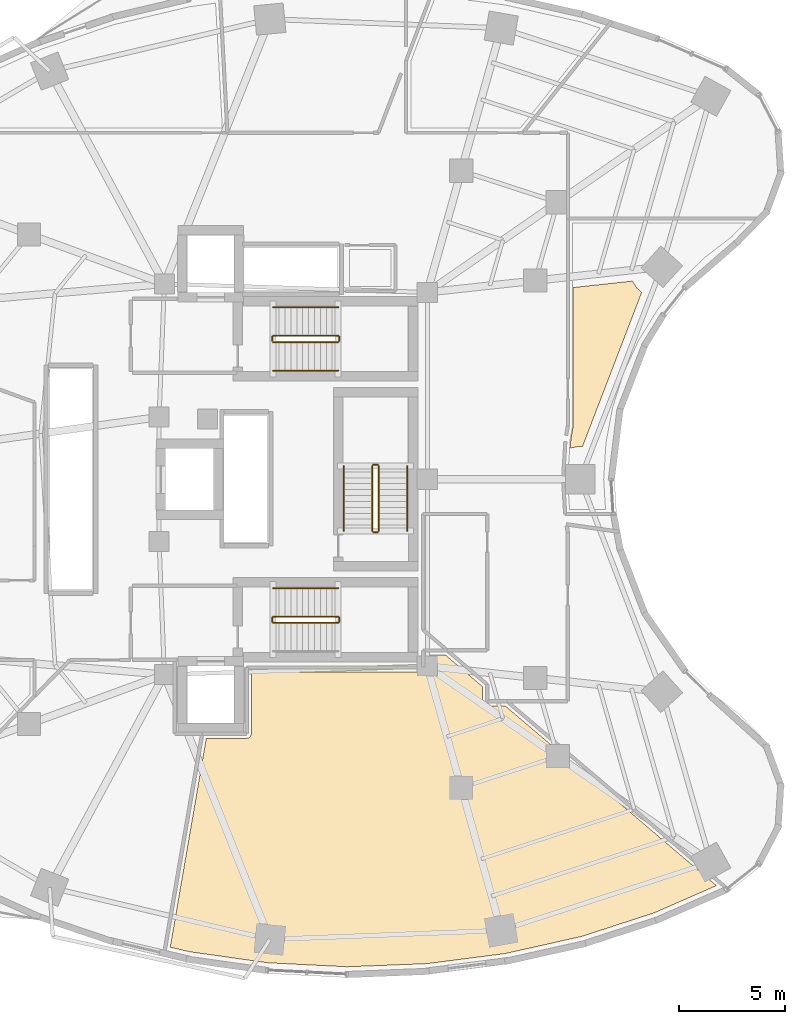
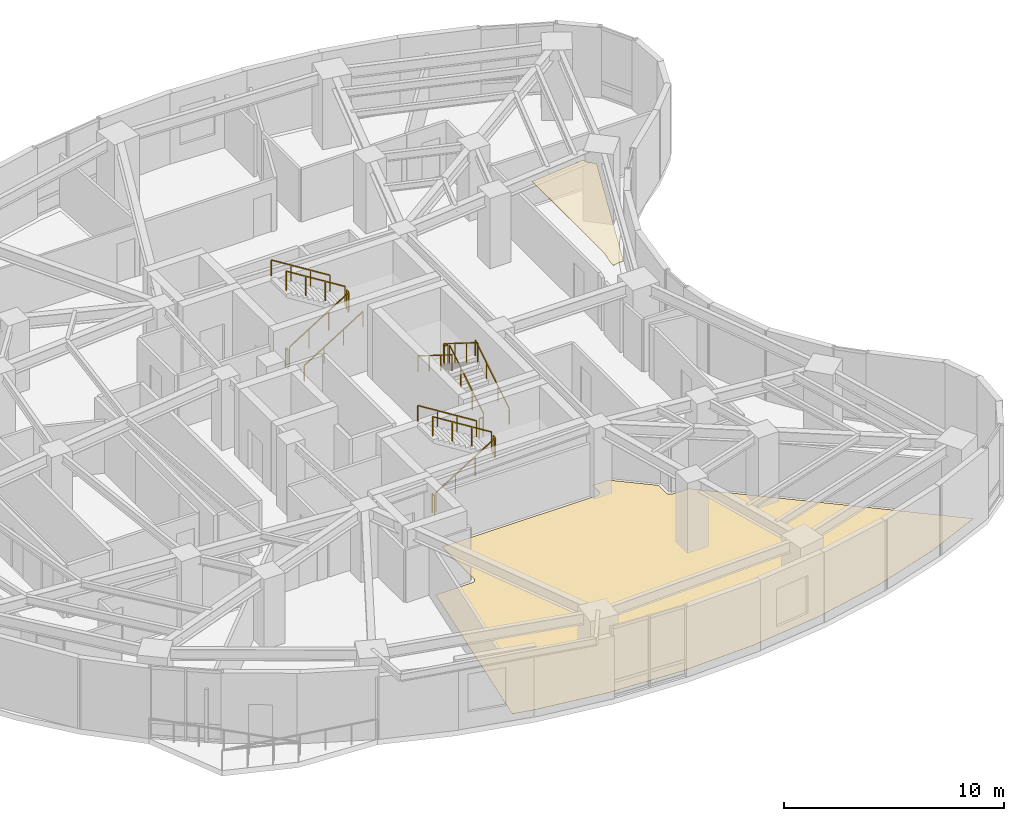
# One storey, part 13 of 14: 17 railings, 2 coverings.
"""IFC4 building model written with IfcOpenShell, lengths in metres."""

from ifc_helpers import new_model, si_unit, direction, frame, origin, origin_2d, place, context, subcontext, project, spatial, polyline, rectangle, outline, extrude, material, layer, layer_set, type_object, element, save


model = new_model("IFC4")

# Units and contexts
model_context = context("Model", 3, precision=1e-05, world=origin(), true_north=direction((0.0, 1.0)))
body_context = subcontext(model_context, "Body", "Model", "MODEL_VIEW")
ifc_project = project(units=[si_unit("LENGTHUNIT", "METRE"), si_unit("AREAUNIT", "SQUARE_METRE"), si_unit("VOLUMEUNIT", "CUBIC_METRE"), si_unit("PLANEANGLEUNIT", "RADIAN"), si_unit("MASSUNIT", "GRAM", prefix="KILO")], contexts=[model_context])

# Site, building, storey
site_placement = place(None, origin())
site = spatial("IfcSite", under=ifc_project, at=site_placement, CompositionType="ELEMENT")
building_placement = place(site_placement, origin())
building = spatial("IfcBuilding", under=site, at=building_placement, Name="Korentha Bioscience Tower", CompositionType="ELEMENT")
storey_placement = place(building_placement, frame((0.0, 0.0, 51.0)))
storey = spatial("IfcBuildingStorey", under=building, at=storey_placement, Name="L11", CompositionType="ELEMENT", Elevation=51.0)

# Railings
ifc_material_1 = material(Name="Stainless Steel 304", Category="steel")
railing_type_1 = type_object("IfcRailingType", Name="Brushed Stainless Stair Handrail 900", PredefinedType="HANDRAIL", material=ifc_material_1)
railing_1_placement = place(storey_placement, frame((30.25, 32.14990234375, 0.175048828125)))
element("IfcRailing", 1, at=railing_1_placement, inside=storey, type_object=railing_type_1, Name="L11 ST-1 stair handrail 1", PredefinedType="HANDRAIL", context=body_context, shape_type="SweptSolid", body=[
    extrude(rectangle(XDim=0.048095703125, YDim=0.048095703125, at=origin_2d()), frame((0.0, 0.0, 0.8759765625), z_axis=(0.847998304005, 0.0, 0.529998940003), x_axis=(0.0, 1.0, 0.0)), (0.0, 0.0, 1.0), 3.632080078125),
    extrude(rectangle(XDim=0.0419921875, YDim=0.0419921875, at=origin_2d()), origin(), (0.0, 0.0, 1.0), 0.851806640625),
    extrude(rectangle(XDim=0.0419921875, YDim=0.0419921875, at=origin_2d()), frame((1.026611328125, 0.0, 0.6416015625)), (0.0, 0.0, 1.0), 0.851806640625),
    extrude(rectangle(XDim=0.0419921875, YDim=0.0419921875, at=origin_2d()), frame((2.053466796875, 0.0, 1.283447265625)), (0.0, 0.0, 1.0), 0.851806640625),
    extrude(rectangle(XDim=0.0419921875, YDim=0.0419921875, at=origin_2d()), frame((3.080078125, 0.0, 1.925048828125)), (0.0, 0.0, 1.0), 0.851806640625),
])
for number, where, name in (
    (2, (33.330078125, 35.14990234375, 2.27490234375), "L11 ST-1 stair handrail 2"),
    (3, (33.330078125, 21.85009765625, 2.27490234375), "L11 ST-2 stair handrail 2"),
):
    element("IfcRailing", number, at=place(storey_placement, frame(where)), inside=storey, type_object=railing_type_1, Name=name, PredefinedType="HANDRAIL", context=body_context, shape_type="SweptSolid", body=[
        extrude(rectangle(XDim=0.048095703125, YDim=0.048095703125, at=origin_2d()), frame((0.0, 0.0, 0.8759765625), z_axis=(-0.847998304005, 0.0, 0.529998940003), x_axis=(0.0, -1.0, 0.0)), (0.0, 0.0, 1.0), 3.632080078125),
        extrude(rectangle(XDim=0.0419921875, YDim=0.0419921875, at=origin_2d()), origin(), (0.0, 0.0, 1.0), 0.851806640625),
        extrude(rectangle(XDim=0.0419921875, YDim=0.0419921875, at=origin_2d()), frame((-1.026611328125, 0.0, 0.6416015625)), (0.0, 0.0, 1.0), 0.851806640625),
        extrude(rectangle(XDim=0.0419921875, YDim=0.0419921875, at=origin_2d()), frame((-2.053466796875, 0.0, 1.283447265625)), (0.0, 0.0, 1.0), 0.851806640625),
        extrude(rectangle(XDim=0.0419921875, YDim=0.0419921875, at=origin_2d()), frame((-3.080078125, 0.0, 1.925048828125)), (0.0, 0.0, 1.0), 0.851806640625),
    ])
railing_2_placement = place(storey_placement, frame((36.60009765625, 24.550048828125, 0.175048828125)))
element("IfcRailing", 4, at=railing_2_placement, inside=storey, type_object=railing_type_1, Name="L11 ST-3 stair handrail 1", PredefinedType="HANDRAIL", context=body_context, shape_type="SweptSolid", body=[
    extrude(rectangle(XDim=0.048095703125, YDim=0.048095703125, at=origin_2d()), frame((0.0, 0.0, 0.8759765625), z_axis=(0.0, 0.847979421464, 0.530029150871), x_axis=(-1.0, 0.0, 0.0)), (0.0, 0.0, 1.0), 3.632080078125),
    extrude(rectangle(XDim=0.0419921875, YDim=0.0419921875, at=origin_2d()), origin(), (0.0, 0.0, 1.0), 0.851806640625),
    extrude(rectangle(XDim=0.0419921875, YDim=0.0419921875, at=origin_2d()), frame((0.0, 1.026611328125, 0.6416015625)), (0.0, 0.0, 1.0), 0.851806640625),
    extrude(rectangle(XDim=0.0419921875, YDim=0.0419921875, at=origin_2d()), frame((0.0, 2.05322265625, 1.283447265625)), (0.0, 0.0, 1.0), 0.851806640625),
    extrude(rectangle(XDim=0.0419921875, YDim=0.0419921875, at=origin_2d()), frame((0.0, 3.079833984375, 1.925048828125)), (0.0, 0.0, 1.0), 0.851806640625),
])
railing_3_placement = place(storey_placement, frame((33.60009765625, 27.6298828125, 2.27490234375)))
element("IfcRailing", 5, at=railing_3_placement, inside=storey, type_object=railing_type_1, Name="L11 ST-3 stair handrail 2", PredefinedType="HANDRAIL", context=body_context, shape_type="SweptSolid", body=[
    extrude(rectangle(XDim=0.048095703125, YDim=0.048095703125, at=origin_2d()), frame((0.0, 0.0, 0.8759765625), z_axis=(0.0, -0.847979421464, 0.530029150871), x_axis=(1.0, 0.0, 0.0)), (0.0, 0.0, 1.0), 3.632080078125),
    extrude(rectangle(XDim=0.0419921875, YDim=0.0419921875, at=origin_2d()), origin(), (0.0, 0.0, 1.0), 0.851806640625),
    extrude(rectangle(XDim=0.0419921875, YDim=0.0419921875, at=origin_2d()), frame((0.0, -1.026611328125, 0.6416015625)), (0.0, 0.0, 1.0), 0.851806640625),
    extrude(rectangle(XDim=0.0419921875, YDim=0.0419921875, at=origin_2d()), frame((0.0, -2.05322265625, 1.283447265625)), (0.0, 0.0, 1.0), 0.851806640625),
    extrude(rectangle(XDim=0.0419921875, YDim=0.0419921875, at=origin_2d()), frame((0.0, -3.079833984375, 1.925048828125)), (0.0, 0.0, 1.0), 0.851806640625),
])

# Covering
ifc_material_2 = material(Name="Antimicrobial Mineral Fibre Board", Category="gypsum")
ifc_layer_1 = layer(ifc_material_2, 0.034912109375, Name="Antimicrobial Mineral Fibre Board")
ifc_layer_set_1 = layer_set([ifc_layer_1], Name="Antimicrobial Mineral Fibre Board (CL-MF35)")
covering_type_1 = type_object("IfcCoveringType", Name="Mineral-Fibre Cleanroom Suspended Ceiling 35", PredefinedType="CEILING", material=ifc_layer_set_1)
covering_1_placement = place(storey_placement, frame((0.0, 0.0, 3.864990234375)))
element("IfcCovering", 6, at=covering_1_placement, inside=storey, type_object=covering_type_1, Name="L11 Engineered Bio-Foundry Wet Lab 06 Acoustic Ceiling", PredefinedType="CEILING", context=body_context, shape_type="SweptSolid", body=[
    extrude(outline(polyline([(44.350830078125, 28.88671875), (44.4599609375, 29.529541015625), (44.4599609375, 36.079833984375), (47.2685546875, 36.3857421875), (47.463623046875, 36.077392578125), (47.703125, 35.84423828125), (44.900390625, 28.544921875), (44.646728515625, 28.54248046875), (44.32177734375, 28.4736328125), (44.350830078125, 28.88671875)])), origin(), (0.0, 0.0, 1.0), 0.034912109375),
])

# Railings
ifc_material_3 = material(Name="Painted Steel S275", Category="steel")
railing_type_2 = type_object("IfcRailingType", Name="Painted Steel Stair Well Guardrail 1100", PredefinedType="GUARDRAIL", material=ifc_material_3)
railing_4_placement = place(storey_placement, frame((30.25, 33.5, 0.175048828125)))
element("IfcRailing", 7, at=railing_4_placement, inside=storey, type_object=railing_type_2, Name="L11 ST-1 stair guard 1", PredefinedType="GUARDRAIL", context=body_context, shape_type="SweptSolid", body=[
    extrude(rectangle(XDim=0.048095703125, YDim=0.048095703125, at=origin_2d()), frame((0.0, 0.0, 1.076171875), z_axis=(0.847998304005, 0.0, 0.529998940003), x_axis=(0.0, 1.0, 0.0)), (0.0, 0.0, 1.0), 3.632080078125),
    extrude(rectangle(XDim=0.0419921875, YDim=0.0419921875, at=origin_2d()), origin(), (0.0, 0.0, 1.0), 1.052001953125),
    extrude(rectangle(XDim=0.0419921875, YDim=0.0419921875, at=origin_2d()), frame((1.026611328125, 0.0, 0.6416015625)), (0.0, 0.0, 1.0), 1.052001953125),
    extrude(rectangle(XDim=0.0419921875, YDim=0.0419921875, at=origin_2d()), frame((2.053466796875, 0.0, 1.283447265625)), (0.0, 0.0, 1.0), 1.052001953125),
    extrude(rectangle(XDim=0.0419921875, YDim=0.0419921875, at=origin_2d()), frame((3.080078125, 0.0, 1.925048828125)), (0.0, 0.0, 1.0), 1.052001953125),
])
railing_5_placement = place(storey_placement, frame((33.3798828125, 33.550048828125, 2.10009765625)))
element("IfcRailing", 8, at=railing_5_placement, inside=storey, type_object=railing_type_2, Name="L11 ST-1 stair guard 2", PredefinedType="GUARDRAIL", context=body_context, shape_type="SweptSolid", body=[
    extrude(rectangle(XDim=0.048095703125, YDim=0.048095703125, at=origin_2d()), frame((0.0, 0.0, 1.076171875), z_axis=(0.0, 1.0, 0.0), x_axis=(-1.0, 0.0, 0.0)), (0.0, 0.0, 1.0), 0.199951171875),
    extrude(rectangle(XDim=0.0419921875, YDim=0.0419921875, at=origin_2d()), origin(), (0.0, 0.0, 1.0), 1.052001953125),
    extrude(rectangle(XDim=0.0419921875, YDim=0.0419921875, at=origin_2d()), frame((0.0, 0.199951171875, 0.0)), (0.0, 0.0, 1.0), 1.052001953125),
])
railing_6_placement = place(storey_placement, frame((33.330078125, 33.800048828125, 2.27490234375)))
element("IfcRailing", 9, at=railing_6_placement, inside=storey, type_object=railing_type_2, Name="L11 ST-1 stair guard 3", PredefinedType="GUARDRAIL", context=body_context, shape_type="SweptSolid", body=[
    extrude(rectangle(XDim=0.048095703125, YDim=0.048095703125, at=origin_2d()), frame((0.0, 0.0, 1.076171875), z_axis=(-0.847998304005, 0.0, 0.529998940003), x_axis=(0.0, -1.0, 0.0)), (0.0, 0.0, 1.0), 3.632080078125),
    extrude(rectangle(XDim=0.0419921875, YDim=0.0419921875, at=origin_2d()), origin(), (0.0, 0.0, 1.0), 1.052001953125),
    extrude(rectangle(XDim=0.0419921875, YDim=0.0419921875, at=origin_2d()), frame((-1.026611328125, 0.0, 0.6416015625)), (0.0, 0.0, 1.0), 1.052001953125),
    extrude(rectangle(XDim=0.0419921875, YDim=0.0419921875, at=origin_2d()), frame((-2.053466796875, 0.0, 1.283447265625)), (0.0, 0.0, 1.0), 1.052001953125),
    extrude(rectangle(XDim=0.0419921875, YDim=0.0419921875, at=origin_2d()), frame((-3.080078125, 0.0, 1.925048828125)), (0.0, 0.0, 1.0), 1.052001953125),
])
railing_7_placement = place(storey_placement, frame((30.199951171875, 33.550048828125, 0.0)))
element("IfcRailing", 10, at=railing_7_placement, inside=storey, type_object=railing_type_2, Name="L11 ST-1 stair guard 4", PredefinedType="GUARDRAIL", context=body_context, shape_type="SweptSolid", body=[
    extrude(rectangle(XDim=0.048095703125, YDim=0.048095703125, at=origin_2d()), frame((0.0, 0.0, 1.076171875), z_axis=(0.0, 1.0, 0.0), x_axis=(-1.0, 0.0, 0.0)), (0.0, 0.0, 1.0), 0.199951171875),
    extrude(rectangle(XDim=0.0419921875, YDim=0.0419921875, at=origin_2d()), origin(), (0.0, 0.0, 1.0), 1.052001953125),
    extrude(rectangle(XDim=0.0419921875, YDim=0.0419921875, at=origin_2d()), frame((0.0, 0.199951171875, 0.0)), (0.0, 0.0, 1.0), 1.052001953125),
])
railing_8_placement = place(storey_placement, frame((30.25, 20.199951171875, 0.175048828125)))
element("IfcRailing", 11, at=railing_8_placement, inside=storey, type_object=railing_type_2, Name="L11 ST-2 stair guard 1", PredefinedType="GUARDRAIL", context=body_context, shape_type="SweptSolid", body=[
    extrude(rectangle(XDim=0.048095703125, YDim=0.048095703125, at=origin_2d()), frame((0.0, 0.0, 1.076171875), z_axis=(0.847998304005, 0.0, 0.529998940003), x_axis=(0.0, 1.0, 0.0)), (0.0, 0.0, 1.0), 3.632080078125),
    extrude(rectangle(XDim=0.0419921875, YDim=0.0419921875, at=origin_2d()), origin(), (0.0, 0.0, 1.0), 1.052001953125),
    extrude(rectangle(XDim=0.0419921875, YDim=0.0419921875, at=origin_2d()), frame((1.026611328125, 0.0, 0.6416015625)), (0.0, 0.0, 1.0), 1.052001953125),
    extrude(rectangle(XDim=0.0419921875, YDim=0.0419921875, at=origin_2d()), frame((2.053466796875, 0.0, 1.283447265625)), (0.0, 0.0, 1.0), 1.052001953125),
    extrude(rectangle(XDim=0.0419921875, YDim=0.0419921875, at=origin_2d()), frame((3.080078125, 0.0, 1.925048828125)), (0.0, 0.0, 1.0), 1.052001953125),
])
railing_9_placement = place(storey_placement, frame((33.3798828125, 20.25, 2.10009765625)))
element("IfcRailing", 12, at=railing_9_placement, inside=storey, type_object=railing_type_2, Name="L11 ST-2 stair guard 2", PredefinedType="GUARDRAIL", context=body_context, shape_type="SweptSolid", body=[
    extrude(rectangle(XDim=0.048095703125, YDim=0.048095703125, at=origin_2d()), frame((0.0, 0.0, 1.076171875), z_axis=(0.0, 1.0, 0.0), x_axis=(-1.0, 0.0, 0.0)), (0.0, 0.0, 1.0), 0.199951171875),
    extrude(rectangle(XDim=0.0419921875, YDim=0.0419921875, at=origin_2d()), origin(), (0.0, 0.0, 1.0), 1.052001953125),
    extrude(rectangle(XDim=0.0419921875, YDim=0.0419921875, at=origin_2d()), frame((0.0, 0.199951171875, 0.0)), (0.0, 0.0, 1.0), 1.052001953125),
])
railing_10_placement = place(storey_placement, frame((33.330078125, 20.5, 2.27490234375)))
element("IfcRailing", 13, at=railing_10_placement, inside=storey, type_object=railing_type_2, Name="L11 ST-2 stair guard 3", PredefinedType="GUARDRAIL", context=body_context, shape_type="SweptSolid", body=[
    extrude(rectangle(XDim=0.048095703125, YDim=0.048095703125, at=origin_2d()), frame((0.0, 0.0, 1.076171875), z_axis=(-0.847998304005, 0.0, 0.529998940003), x_axis=(0.0, -1.0, 0.0)), (0.0, 0.0, 1.0), 3.632080078125),
    extrude(rectangle(XDim=0.0419921875, YDim=0.0419921875, at=origin_2d()), origin(), (0.0, 0.0, 1.0), 1.052001953125),
    extrude(rectangle(XDim=0.0419921875, YDim=0.0419921875, at=origin_2d()), frame((-1.026611328125, 0.0, 0.6416015625)), (0.0, 0.0, 1.0), 1.052001953125),
    extrude(rectangle(XDim=0.0419921875, YDim=0.0419921875, at=origin_2d()), frame((-2.053466796875, 0.0, 1.283447265625)), (0.0, 0.0, 1.0), 1.052001953125),
    extrude(rectangle(XDim=0.0419921875, YDim=0.0419921875, at=origin_2d()), frame((-3.080078125, 0.0, 1.925048828125)), (0.0, 0.0, 1.0), 1.052001953125),
])
railing_11_placement = place(storey_placement, frame((30.199951171875, 20.25, 0.0)))
element("IfcRailing", 14, at=railing_11_placement, inside=storey, type_object=railing_type_2, Name="L11 ST-2 stair guard 4", PredefinedType="GUARDRAIL", context=body_context, shape_type="SweptSolid", body=[
    extrude(rectangle(XDim=0.048095703125, YDim=0.048095703125, at=origin_2d()), frame((0.0, 0.0, 1.076171875), z_axis=(0.0, 1.0, 0.0), x_axis=(-1.0, 0.0, 0.0)), (0.0, 0.0, 1.0), 0.199951171875),
    extrude(rectangle(XDim=0.0419921875, YDim=0.0419921875, at=origin_2d()), origin(), (0.0, 0.0, 1.0), 1.052001953125),
    extrude(rectangle(XDim=0.0419921875, YDim=0.0419921875, at=origin_2d()), frame((0.0, 0.199951171875, 0.0)), (0.0, 0.0, 1.0), 1.052001953125),
])
railing_12_placement = place(storey_placement, frame((35.25, 24.550048828125, 0.175048828125)))
element("IfcRailing", 15, at=railing_12_placement, inside=storey, type_object=railing_type_2, Name="L11 ST-3 stair guard 1", PredefinedType="GUARDRAIL", context=body_context, shape_type="SweptSolid", body=[
    extrude(rectangle(XDim=0.048095703125, YDim=0.048095703125, at=origin_2d()), frame((0.0, 0.0, 1.076171875), z_axis=(0.0, 0.847979421464, 0.530029150871), x_axis=(-1.0, 0.0, 0.0)), (0.0, 0.0, 1.0), 3.632080078125),
    extrude(rectangle(XDim=0.0419921875, YDim=0.0419921875, at=origin_2d()), origin(), (0.0, 0.0, 1.0), 1.052001953125),
    extrude(rectangle(XDim=0.0419921875, YDim=0.0419921875, at=origin_2d()), frame((0.0, 1.026611328125, 0.6416015625)), (0.0, 0.0, 1.0), 1.052001953125),
    extrude(rectangle(XDim=0.0419921875, YDim=0.0419921875, at=origin_2d()), frame((0.0, 2.05322265625, 1.283447265625)), (0.0, 0.0, 1.0), 1.052001953125),
    extrude(rectangle(XDim=0.0419921875, YDim=0.0419921875, at=origin_2d()), frame((0.0, 3.079833984375, 1.925048828125)), (0.0, 0.0, 1.0), 1.052001953125),
])
railing_13_placement = place(storey_placement, frame((35.199951171875, 27.679931640625, 2.10009765625)))
element("IfcRailing", 16, at=railing_13_placement, inside=storey, type_object=railing_type_2, Name="L11 ST-3 stair guard 2", PredefinedType="GUARDRAIL", context=body_context, shape_type="SweptSolid", body=[
    extrude(rectangle(XDim=0.048095703125, YDim=0.048095703125, at=origin_2d()), frame((0.0, 0.0, 1.076171875), z_axis=(-1.0, 0.0, 0.0), x_axis=(0.0, -1.0, 0.0)), (0.0, 0.0, 1.0), 0.199951171875),
    extrude(rectangle(XDim=0.0419921875, YDim=0.0419921875, at=origin_2d()), origin(), (0.0, 0.0, 1.0), 1.052001953125),
    extrude(rectangle(XDim=0.0419921875, YDim=0.0419921875, at=origin_2d()), frame((-0.199951171875, 0.0, 0.0)), (0.0, 0.0, 1.0), 1.052001953125),
])
railing_14_placement = place(storey_placement, frame((34.949951171875, 27.6298828125, 2.27490234375)))
element("IfcRailing", 17, at=railing_14_placement, inside=storey, type_object=railing_type_2, Name="L11 ST-3 stair guard 3", PredefinedType="GUARDRAIL", context=body_context, shape_type="SweptSolid", body=[
    extrude(rectangle(XDim=0.048095703125, YDim=0.048095703125, at=origin_2d()), frame((0.0, 0.0, 1.076171875), z_axis=(0.0, -0.847979421464, 0.530029150871), x_axis=(1.0, 0.0, 0.0)), (0.0, 0.0, 1.0), 3.632080078125),
    extrude(rectangle(XDim=0.0419921875, YDim=0.0419921875, at=origin_2d()), origin(), (0.0, 0.0, 1.0), 1.052001953125),
    extrude(rectangle(XDim=0.0419921875, YDim=0.0419921875, at=origin_2d()), frame((0.0, -1.026611328125, 0.6416015625)), (0.0, 0.0, 1.0), 1.052001953125),
    extrude(rectangle(XDim=0.0419921875, YDim=0.0419921875, at=origin_2d()), frame((0.0, -2.05322265625, 1.283447265625)), (0.0, 0.0, 1.0), 1.052001953125),
    extrude(rectangle(XDim=0.0419921875, YDim=0.0419921875, at=origin_2d()), frame((0.0, -3.079833984375, 1.925048828125)), (0.0, 0.0, 1.0), 1.052001953125),
])
railing_15_placement = place(storey_placement, frame((35.199951171875, 24.5, 0.0)))
element("IfcRailing", 18, at=railing_15_placement, inside=storey, type_object=railing_type_2, Name="L11 ST-3 stair guard 4", PredefinedType="GUARDRAIL", context=body_context, shape_type="SweptSolid", body=[
    extrude(rectangle(XDim=0.048095703125, YDim=0.048095703125, at=origin_2d()), frame((0.0, 0.0, 1.076171875), z_axis=(-1.0, 0.0, 0.0), x_axis=(0.0, -1.0, 0.0)), (0.0, 0.0, 1.0), 0.199951171875),
    extrude(rectangle(XDim=0.0419921875, YDim=0.0419921875, at=origin_2d()), origin(), (0.0, 0.0, 1.0), 1.052001953125),
    extrude(rectangle(XDim=0.0419921875, YDim=0.0419921875, at=origin_2d()), frame((-0.199951171875, 0.0, 0.0)), (0.0, 0.0, 1.0), 1.052001953125),
])

# Covering
ifc_material_4 = material(Name="Chemical-Resistant Epoxy Resin", Category="polymer")
ifc_layer_2 = layer(ifc_material_4, 0.011962890625, Name="Chemical-Resistant Epoxy Resin")
ifc_layer_set_2 = layer_set([ifc_layer_2], Name="Chemical-Resistant Epoxy Resin (FL-EPX)")
covering_type_2 = type_object("IfcCoveringType", Name="Seamless Epoxy Laboratory Flooring 12", PredefinedType="FLOORING", material=ifc_layer_set_2)
covering_2_placement = place(storey_placement, origin())
element("IfcCovering", 19, at=covering_2_placement, inside=storey, type_object=covering_type_2, Name="L11 Biomechanical Motion Analysis Lab 04 Floor Finish", PredefinedType="FLOORING", context=body_context, shape_type="SweptSolid", body=[
    extrude(outline(polyline([(27.085205078125, 14.728515625), (29.0068359375, 14.730224609375), (29.101806640625, 14.756591796875), (29.18212890625, 14.829345703125), (29.219970703125, 14.94873046875), (29.219970703125, 17.8701171875), (37.36181640625, 17.870361328125), (37.447998046875, 17.891845703125), (37.504150390625, 17.92919921875), (37.572998046875, 18.043701171875), (37.580078125, 18.677978515625), (38.409423828125, 18.677978515625), (40.169921875, 17.1796875), (40.17041015625, 16.48828125), (40.1923828125, 16.401123046875), (40.245849609375, 16.329345703125), (40.302001953125, 16.2919921875), (40.38818359375, 16.270263671875), (41.23876953125, 16.27001953125), (51.243408203125, 7.75537109375), (48.310302734375, 6.470458984375), (44.857421875, 5.34716796875), (41.2451171875, 4.538818359375), (37.526611328125, 4.057861328125), (33.75634765625, 3.9111328125), (29.989501953125, 4.101318359375), (26.281982421875, 4.625), (25.377197265625, 4.8388671875), (27.085205078125, 14.728515625)])), origin(), (0.0, 0.0, 1.0), 0.011962890625),
])

save(model, "model.ifc")
